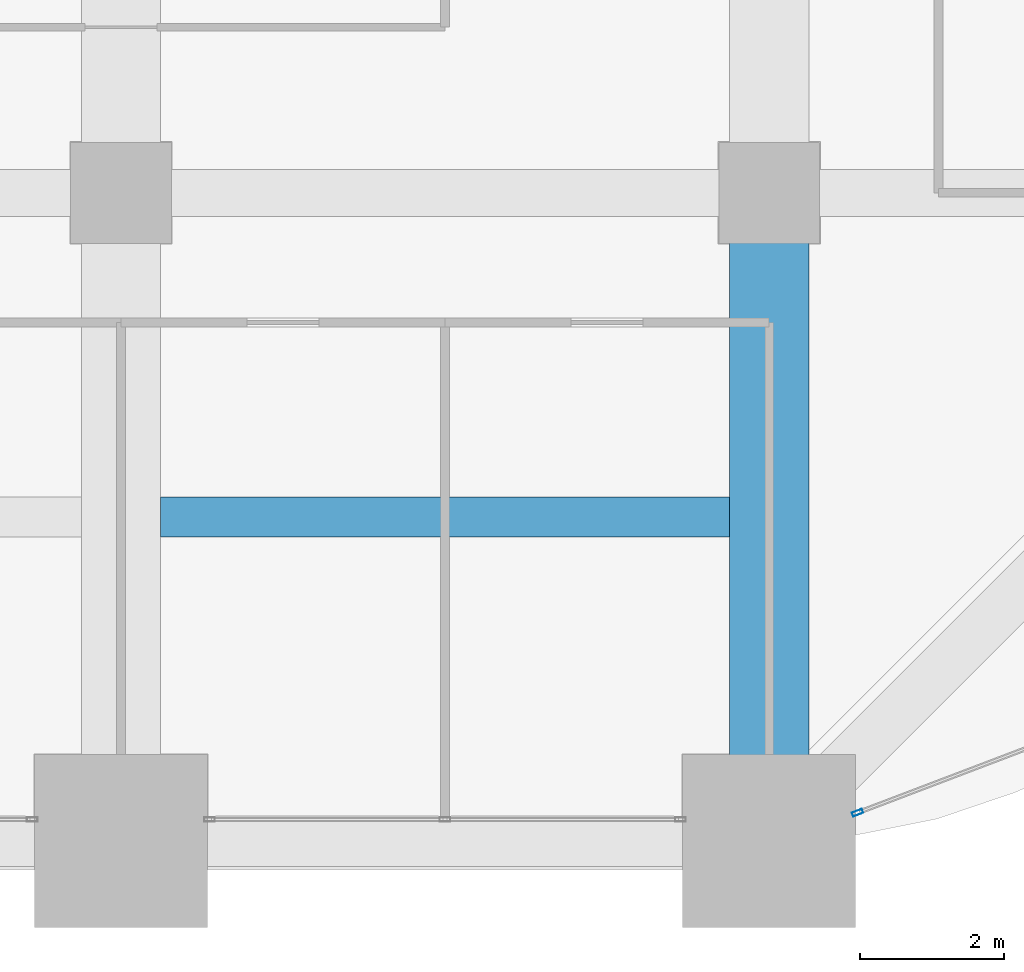
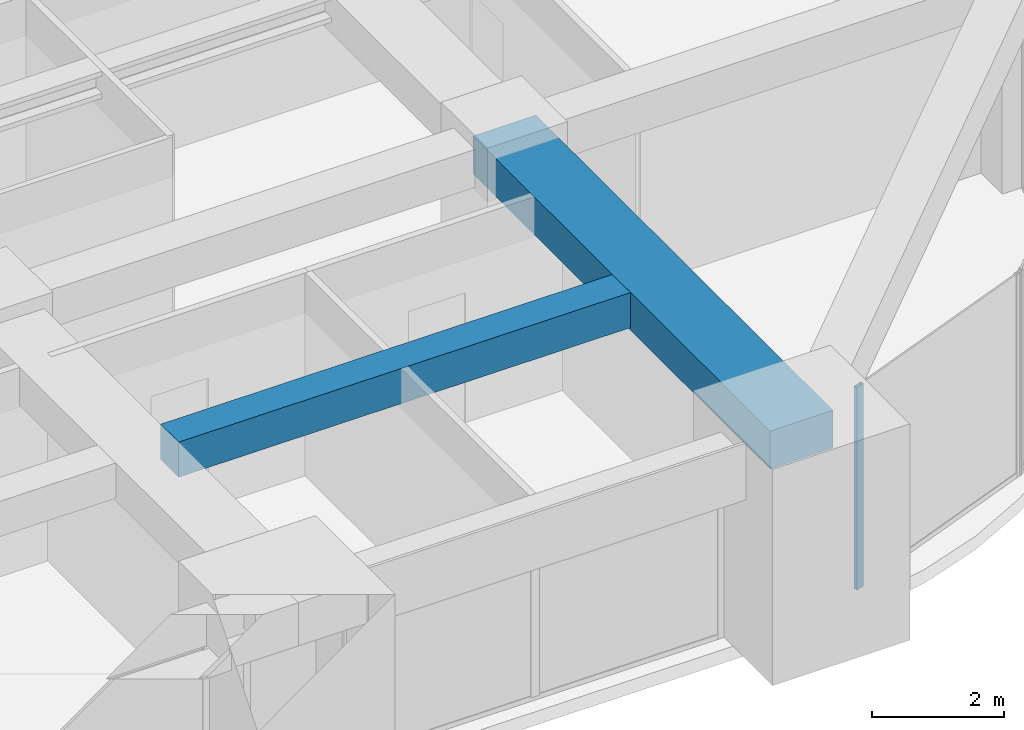
# One storey, part 14 of 34: 2 beams, 1 member, 1 element without a shape of its own.
"""IFC4 building model written with IfcOpenShell, lengths in metres."""

import ifcopenshell
import ifcopenshell.guid

model = None  # the IFC model being written
_history = None  # IfcOwnerHistory: only IFC2X3 demands one
_inside = {}  # id of a spatial element -> (the spatial element, [elements in it])
_under = {}  # id of a project, library or spatial element -> (it, [spatial elements below it])
_declared = {}  # id of a project -> (the project, [libraries it declares])
_typed = {}  # id of a type object -> (the type object, [elements of that type])
_made_of = {}  # id of a material, layer set ... -> (it, [elements and type objects made of it])


def new_model(schema):
    """Start an empty IFC model of exactly this schema.

    Asked for "IFC4X3", IfcOpenShell would pick the latest addendum, in which some entities
    have other attributes; the version numbers below select the first issue.
    IFC2X3 requires an IfcOwnerHistory on every rooted entity: one is made here for all.
    """
    global model, _history
    if schema == "IFC4X3":
        model = ifcopenshell.file(schema_version=(4, 3, 0, 0))
    else:
        model = ifcopenshell.file(schema=schema)
    _inside.clear()
    _under.clear()
    _declared.clear()
    _typed.clear()
    _made_of.clear()
    _history = None
    if model.schema == "IFC2X3":
        org = make("IfcOrganization", Name="unknown")
        user = make(
            "IfcPersonAndOrganization",
            ThePerson=make("IfcPerson", FamilyName="unknown"),
            TheOrganization=org,
        )
        app = make(
            "IfcApplication",
            ApplicationDeveloper=org,
            Version="unknown",
            ApplicationFullName="unknown",
            ApplicationIdentifier="unknown",
        )
        _history = make(
            "IfcOwnerHistory",
            OwningUser=user,
            OwningApplication=app,
            ChangeAction="ADDED",
            CreationDate=0,
        )
    return model


def make(cls, **values):
    """One entity of the class cls with the attributes given. An attribute that is None is left unset."""
    return model.create_entity(
        cls, **{name: value for name, value in values.items() if value is not None}
    )


def rooted(cls, **values):
    """An entity with a GlobalId (a new one), such as an element, a storey or a relation."""
    return make(cls, GlobalId=ifcopenshell.guid.new(), OwnerHistory=_history, **values)


def si_unit(unit_type, name, prefix=None):
    """IfcSIUnit, for example si_unit("LENGTHUNIT", "METRE", prefix="MILLI")."""
    return make("IfcSIUnit", UnitType=unit_type, Prefix=prefix, Name=name)


def assignment(units):
    """IfcUnitAssignment: the units of a project."""
    return None if units is None else make("IfcUnitAssignment", Units=units)


def point(xyz):
    """IfcCartesianPoint."""
    return None if xyz is None else make("IfcCartesianPoint", Coordinates=xyz)


def direction(xyz):
    """IfcDirection."""
    return None if xyz is None else make("IfcDirection", DirectionRatios=xyz)


def frame(location, z_axis=None, x_axis=None):
    """IfcAxis2Placement3D, a coordinate frame: its origin and axes. An axis left out is left unset."""
    return make(
        "IfcAxis2Placement3D",
        Location=point(location),
        Axis=direction(z_axis),
        RefDirection=direction(x_axis),
    )


def frame_2d(location, x_axis=None):
    """IfcAxis2Placement2D, a coordinate frame in the plane: its origin and x axis."""
    return make(
        "IfcAxis2Placement2D", Location=point(location), RefDirection=direction(x_axis)
    )


def origin():
    """The frame at (0, 0, 0) with its axes left unset."""
    return frame((0.0, 0.0, 0.0))


def origin_2d():
    """The frame at (0, 0) in the plane with its x axis left unset."""
    return frame_2d((0.0, 0.0))


def place(relative_to, where):
    """IfcLocalPlacement: puts the frame where relative to a parent placement (None: the world)."""
    return make(
        "IfcLocalPlacement", PlacementRelTo=relative_to, RelativePlacement=where
    )


def context(
    kind, dimensions, precision=None, world=None, true_north=None, identifier=None
):
    """IfcGeometricRepresentationContext, for example the 3D "Model" context."""
    return make(
        "IfcGeometricRepresentationContext",
        ContextIdentifier=identifier,
        ContextType=kind,
        CoordinateSpaceDimension=dimensions,
        Precision=precision,
        WorldCoordinateSystem=world,
        TrueNorth=true_north,
    )


def subcontext(parent, identifier, kind, view, scale=None):
    """IfcGeometricRepresentationSubContext, for example "Body" below "Model"."""
    return make(
        "IfcGeometricRepresentationSubContext",
        ContextIdentifier=identifier,
        ContextType=kind,
        ParentContext=parent,
        TargetScale=scale,
        TargetView=view,
    )


def project(units=None, contexts=None):
    """IfcProject with its units and contexts."""
    return rooted(
        "IfcProject",
        Name="project",
        RepresentationContexts=contexts,
        UnitsInContext=assignment(units),
    )


def spatial(cls, under=None, at=None, **own):
    """A site, building, storey or space (cls), placed at a placement, below another one or the project."""
    s = rooted(cls, ObjectPlacement=at, **own)
    if under is not None:
        _under.setdefault(under.id(), (under, []))[1].append(s)
    return s


def profile(cls, at=None, kind="AREA", **sizes):
    """A parametric profile (cls). Its sizes go by their IFC names, for example OverallWidth=200.0."""
    return make(cls, ProfileType=kind, Position=at, **sizes)


def rectangle(**sizes):
    """IfcRectangleProfileDef."""
    return profile("IfcRectangleProfileDef", **sizes)


def hollow_rectangle(**sizes):
    """IfcRectangleHollowProfileDef."""
    return profile("IfcRectangleHollowProfileDef", **sizes)


def extrude(swept, where, along, depth):
    """IfcExtrudedAreaSolid: the profile swept, set in the frame where, extruded along a direction by depth."""
    return make(
        "IfcExtrudedAreaSolid",
        SweptArea=swept,
        Position=where,
        ExtrudedDirection=direction(along),
        Depth=depth,
    )


def shape(context_of_items, identifier, shape_type, items):
    """IfcShapeRepresentation: the items that make up one representation, for example the "Body"."""
    return make(
        "IfcShapeRepresentation",
        ContextOfItems=context_of_items,
        RepresentationIdentifier=identifier,
        RepresentationType=shape_type,
        Items=items,
    )


def material(Name=None, Category=None):
    """IfcMaterial."""
    return make("IfcMaterial", Name=Name, Category=Category)


def material_profile(
    of_material, cross_section, Name=None, Category=None, Priority=None
):
    """IfcMaterialProfile: a cross section and its material."""
    return make(
        "IfcMaterialProfile",
        Name=Name,
        Material=of_material,
        Profile=cross_section,
        Priority=Priority,
        Category=Category,
    )


def profile_set(profiles, Name=None, composite=None):
    """IfcMaterialProfileSet."""
    return make(
        "IfcMaterialProfileSet",
        Name=Name,
        MaterialProfiles=profiles,
        CompositeProfile=composite,
    )


def made_of(thing, what):
    """Note that an element or type object is made of a material, layer set ...; save() writes the relation."""
    if what is not None:
        _made_of.setdefault(what.id(), (what, []))[1].append(thing)
    return thing


def type_object(cls, material=None, **own):
    """A type object (cls), such as IfcWallType, which elements share."""
    return made_of(rooted(cls, **own), material)


def element(
    cls,
    number,
    at=None,
    inside=None,
    cuts=None,
    type_object=None,
    material=None,
    context=None,
    identifier="Body",
    shape_type=None,
    held_by="IfcProductDefinitionShape",
    body=None,
    shapes=None,
    **own,
):
    """One element of the class cls, such as IfcWall. Its Tag is "e" and its number.

    at: its placement. inside: the storey or other place that contains it. cuts: it is an
    opening in that element (IfcRelVoidsElement). A single representation is given by context,
    identifier, shape_type and body (its items); several are given by shapes. held_by: the class
    of the entity that holds the representations. save() writes the other relations.
    """
    e = rooted(cls, Tag="e%d" % number, ObjectPlacement=at, **own)
    if body is not None:
        shapes = [shape(context, identifier, shape_type, body)]
    if shapes is not None:
        e.Representation = make(held_by, Representations=shapes)
    if inside is not None:
        _inside.setdefault(inside.id(), (inside, []))[1].append(e)
    if cuts is not None:
        rooted(
            "IfcRelVoidsElement", RelatingBuildingElement=cuts, RelatedOpeningElement=e
        )
    if type_object is not None:
        _typed.setdefault(type_object.id(), (type_object, []))[1].append(e)
    return made_of(e, material)


def aggregate(whole, parts):
    """IfcRelAggregates: a whole, such as a stair, and the parts it consists of."""
    return rooted("IfcRelAggregates", RelatingObject=whole, RelatedObjects=parts)


def save(model, path):
    """Write the relations noted so far, then the file.

    IfcRelAggregates (storeys below a building ...), IfcRelContainedInSpatialStructure (elements
    in a storey), IfcRelDefinesByType, IfcRelAssociatesMaterial and IfcRelDeclares: one each for
    every whole, place, type object, material and project.
    """
    for whole, parts in _under.values():
        aggregate(whole, parts)
    for where, things in _inside.values():
        rooted(
            "IfcRelContainedInSpatialStructure",
            RelatedElements=things,
            RelatingStructure=where,
        )
    for kind, things in _typed.values():
        rooted("IfcRelDefinesByType", RelatedObjects=things, RelatingType=kind)
    for what, things in _made_of.values():
        rooted("IfcRelAssociatesMaterial", RelatedObjects=things, RelatingMaterial=what)
    for by, libraries in _declared.values():
        rooted("IfcRelDeclares", RelatingContext=by, RelatedDefinitions=libraries)
    model.write(path)


model = new_model("IFC4")

# Units and contexts
model_context = context("Model", 3, precision=1e-05, world=origin(), true_north=direction((0.0, 1.0)))
body_context = subcontext(model_context, "Body", "Model", "MODEL_VIEW")
ifc_project = project(units=[si_unit("LENGTHUNIT", "METRE"), si_unit("AREAUNIT", "SQUARE_METRE"), si_unit("VOLUMEUNIT", "CUBIC_METRE"), si_unit("PLANEANGLEUNIT", "RADIAN"), si_unit("MASSUNIT", "GRAM", prefix="KILO")], contexts=[model_context])

# Site, building, storey
site_placement = place(None, origin())
site = spatial("IfcSite", under=ifc_project, at=site_placement, CompositionType="ELEMENT")
building_placement = place(site_placement, origin())
building = spatial("IfcBuilding", under=site, at=building_placement, Name="Zorevar Civic Tower", CompositionType="ELEMENT")
storey_placement = place(building_placement, frame((0.0, 0.0, 214.199951171875)))
storey = spatial("IfcBuildingStorey", under=building, at=storey_placement, Name="L52", CompositionType="ELEMENT", Elevation=214.199951171875)

# Beams
ifc_material_1 = material(Name="Concrete C50/60", Category="concrete")
ifc_material_profile_1 = material_profile(ifc_material_1, rectangle(XDim=1.10009765625, YDim=0.699951171875, at=origin_2d()), Name="RC 1100x700")
ifc_profile_set_1 = profile_set([ifc_material_profile_1], Name="Concrete C50/60")
beam_type_1 = type_object("IfcBeamType", Name="Beam RC 1100x700", PredefinedType="BEAM", material=ifc_profile_set_1)
beam_1_placement = place(storey_placement, frame((45.0, 0.0, 3.400146484375), z_axis=(0.0, 1.0, 0.0), x_axis=(-1.0, 0.0, 0.0)))
element("IfcBeam", 1, at=beam_1_placement, inside=storey, type_object=beam_type_1, Name="Girder L53", PredefinedType="BEAM", context=body_context, shape_type="SweptSolid", body=[
    extrude(rectangle(XDim=1.10009765625, YDim=0.699951171875, at=origin_2d()), origin(), (0.0, 0.0, 1.0), 9.0),
])
ifc_material_2 = material(Name="Concrete C50/60", Category="concrete")
ifc_material_profile_2 = material_profile(ifc_material_2, rectangle(XDim=0.550048828125, YDim=0.64990234375, at=origin_2d()), Name="RC 550x650")
ifc_profile_set_2 = profile_set([ifc_material_profile_2], Name="Concrete C50/60")
beam_type_2 = type_object("IfcBeamType", Name="Beam RC 550x650", PredefinedType="BEAM", material=ifc_profile_set_2)
beam_2_placement = place(storey_placement, frame((36.550048828125, 4.5, 3.425048828125), z_axis=(1.0, 0.0, 0.0), x_axis=(0.0, 1.0, 0.0)))
element("IfcBeam", 2, at=beam_2_placement, inside=storey, type_object=beam_type_2, Name="Secondary beam L53", PredefinedType="BEAM", context=body_context, shape_type="SweptSolid", body=[
    extrude(rectangle(XDim=0.550048828125, YDim=0.64990234375, at=origin_2d()), origin(), (0.0, 0.0, 1.0), 7.89990234375),
])

# Curtain wall, member
ifc_material_3 = material(Name="Dark grey solar-control glass in black aluminium frame", Category="aluminium")
curtain_wall_type = type_object("IfcCurtainWallType", Name="Curtain wall CW4 high zone", PredefinedType="NOTDEFINED", material=ifc_material_3)
curtain_wall_placement = place(storey_placement, origin())
curtain_wall = element("IfcCurtainWall", 3, at=curtain_wall_placement, inside=storey, type_object=curtain_wall_type, Name="CW4 L52", PredefinedType="NOTDEFINED")
ifc_material_4 = material(Name="Aluminium, black anodised", Category="aluminium")
ifc_material_profile_3 = material_profile(ifc_material_4, hollow_rectangle(XDim=0.06005859375, YDim=0.14990234375, WallThickness=0.00390625, at=origin_2d()), Name="AL 150x60x4")
ifc_profile_set_3 = profile_set([ifc_material_profile_3], Name="Aluminium, black anodised")
member_type = type_object("IfcMemberType", Name="CW4 mullion AL 150x60x4", PredefinedType="MULLION", material=ifc_profile_set_3)
member_placement = place(storey_placement, frame((46.22802734375, 0.393798828125, 0.0), z_axis=(0.0, 0.0, 1.0), x_axis=(-0.355730895803, 0.93458842801, 0.0)))
member = element("IfcMember", 4, at=member_placement, type_object=member_type, Name="CW4 mullion 1", PredefinedType="MULLION", context=body_context, shape_type="SweptSolid", body=[
    extrude(hollow_rectangle(XDim=0.06005859375, YDim=0.14990234375, WallThickness=0.00390625, at=origin_2d()), origin(), (0.0, 0.0, 1.0), 3.75),
])
aggregate(curtain_wall, [member])

save(model, "model.ifc")
